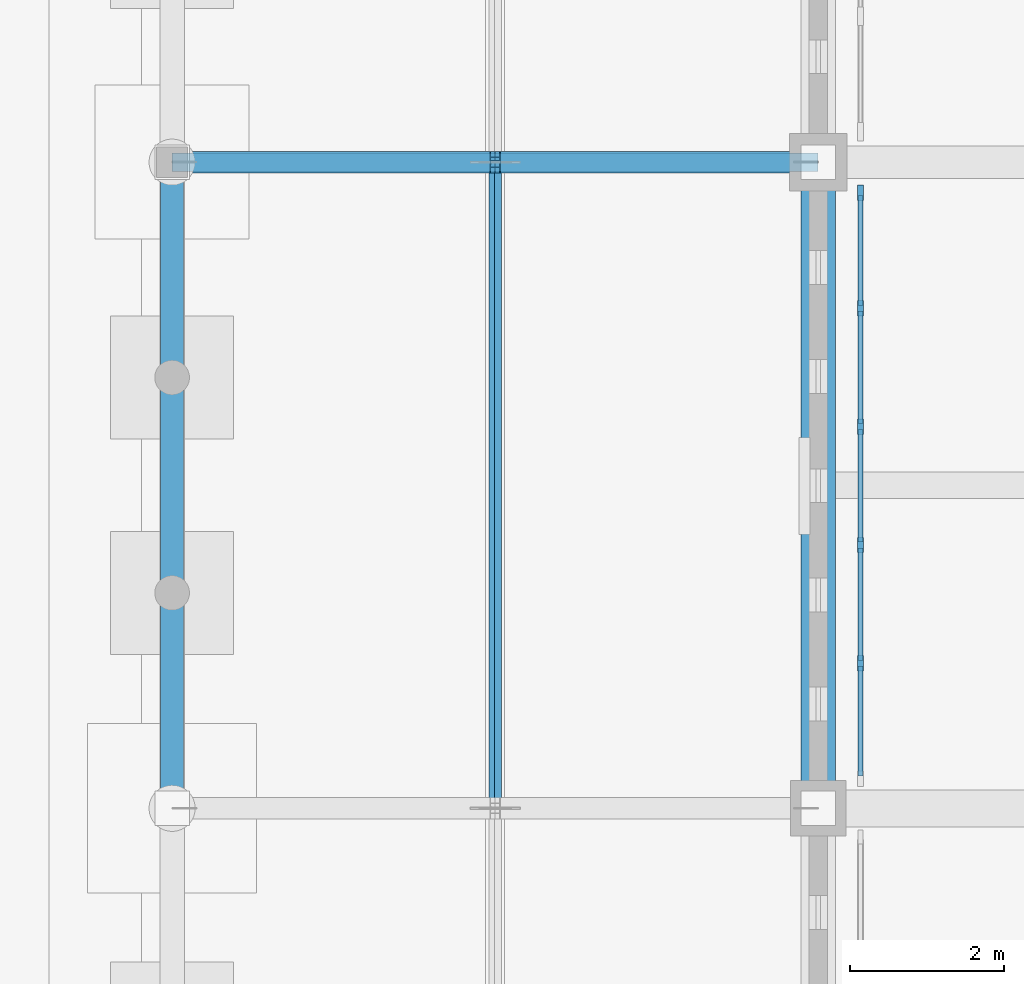
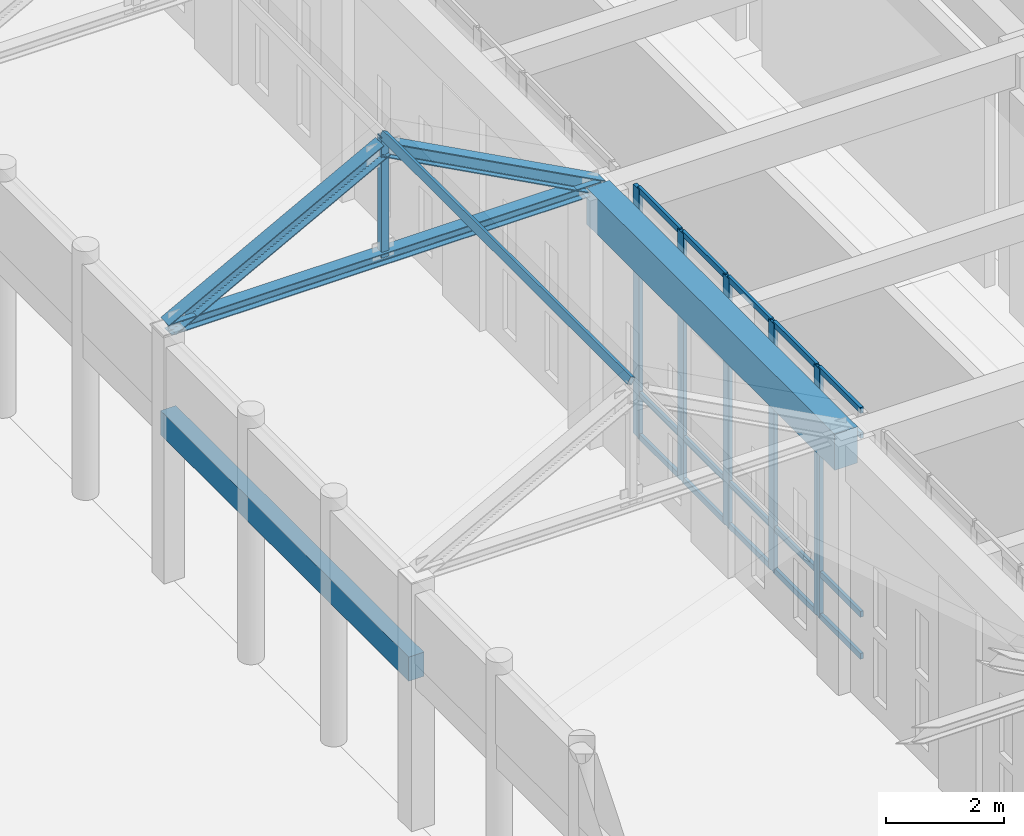
# One storey, part 47 of 143: 30 members, 2 beams, 1 element without a shape of its own.
"""IFC4 building model written with IfcOpenShell, lengths in metres."""

from ifc_helpers import new_model, si_unit, direction, frame, origin, origin_2d, place, context, subcontext, project, spatial, rectangle, hollow_rectangle, i_section, extrude, material, layer, layer_set, material_profile, profile_set, type_object, element, aggregate, save


model = new_model("IFC4")

# Units and contexts
model_context = context("Model", 3, precision=1e-05, world=origin(), true_north=direction((0.0, 1.0)))
body_context = subcontext(model_context, "Body", "Model", "MODEL_VIEW")
ifc_project = project(units=[si_unit("LENGTHUNIT", "METRE"), si_unit("AREAUNIT", "SQUARE_METRE"), si_unit("VOLUMEUNIT", "CUBIC_METRE"), si_unit("PLANEANGLEUNIT", "RADIAN"), si_unit("MASSUNIT", "GRAM", prefix="KILO")], contexts=[model_context])

# Site, building, storey
site_placement = place(None, origin())
site = spatial("IfcSite", under=ifc_project, at=site_placement, CompositionType="ELEMENT")
building_placement = place(site_placement, origin())
building = spatial("IfcBuilding", under=site, at=building_placement, Name="Kveldsbrygga Polytechnic", CompositionType="ELEMENT")
storey_placement = place(building_placement, origin())
storey = spatial("IfcBuildingStorey", under=building, at=storey_placement, Name="L00", CompositionType="ELEMENT", Elevation=0.0)

# Beam
ifc_material_1 = material(Name="Concrete C35/45", Category="concrete")
ifc_material_profile_1 = material_profile(ifc_material_1, rectangle(XDim=0.449951171875, YDim=0.75, at=origin_2d()), Name="RC 450x750")
ifc_profile_set_1 = profile_set([ifc_material_profile_1], Name="Concrete C35/45")
beam_type_1 = type_object("IfcBeamType", Name="BM-RC-450x750", PredefinedType="BEAM", material=ifc_profile_set_1)
beam_1_placement = place(storey_placement, frame((126.0, 50.39990234375, 4.764892578125), z_axis=(0.0, 1.0, 0.0), x_axis=(-1.0, 0.0, 0.0)))
element("IfcBeam", 1, at=beam_1_placement, inside=storey, type_object=beam_type_1, Name="Primary Beam BMY-L00-15-06to07", PredefinedType="BEAM", context=body_context, shape_type="SweptSolid", body=[
    extrude(rectangle(XDim=0.449951171875, YDim=0.75, at=origin_2d()), origin(), (0.0, 0.0, 1.0), 8.400146484375),
])

# Curtain wall, members
ifc_material_2 = material(Name="Anodised aluminium AW-6060", Category="aluminium")
ifc_layer = layer(ifc_material_2, 0.18994140625)
ifc_layer_set = layer_set([ifc_layer], Name="Anodised aluminium AW-6060")
curtain_wall_type = type_object("IfcCurtainWallType", Name="CW-REFC-G", PredefinedType="USERDEFINED", material=ifc_layer_set)
curtain_wall_placement = place(storey_placement, origin())
curtain_wall = element("IfcCurtainWall", 2, at=curtain_wall_placement, inside=storey, type_object=curtain_wall_type, Name="Curtain Wall CW-L00-Y-15-06", ObjectType="UNITISED CURTAIN WALL", PredefinedType="USERDEFINED")
ifc_material_profile_2 = material_profile(ifc_material_2, rectangle(XDim=0.074951171875, YDim=0.199951171875, at=origin_2d()), Name="ALU 75x200")
ifc_profile_set_2 = profile_set([ifc_material_profile_2], Name="Anodised aluminium AW-6060")
member_type_1 = type_object("IfcMemberType", Name="CW-MUL-200", PredefinedType="MULLION", material=ifc_profile_set_2)
member_1_placement = place(storey_placement, frame((126.550048828125, 52.283935546875, 0.0), z_axis=(0.0, 0.0, 1.0), x_axis=(-1.0, 0.0, 0.0)))
member_1 = element("IfcMember", 3, at=member_1_placement, type_object=member_type_1, Name="CW-07 mullion 2", PredefinedType="MULLION", context=body_context, shape_type="SweptSolid", body=[
    extrude(rectangle(XDim=0.074951171875, YDim=0.199951171875, at=origin_2d()), origin(), (0.0, 0.0, 1.0), 5.139892578125),
])
member_2_placement = place(storey_placement, frame((126.550048828125, 53.822998046875, 0.0), z_axis=(0.0, 0.0, 1.0), x_axis=(-1.0, 0.0, 0.0)))
member_2 = element("IfcMember", 4, at=member_2_placement, type_object=member_type_1, Name="CW-07 mullion 3", PredefinedType="MULLION", context=body_context, shape_type="SweptSolid", body=[
    extrude(rectangle(XDim=0.074951171875, YDim=0.199951171875, at=origin_2d()), origin(), (0.0, 0.0, 1.0), 5.139892578125),
])
member_3_placement = place(storey_placement, frame((126.550048828125, 55.362060546875, 0.0), z_axis=(0.0, 0.0, 1.0), x_axis=(-1.0, 0.0, 0.0)))
member_3 = element("IfcMember", 5, at=member_3_placement, type_object=member_type_1, Name="CW-07 mullion 4", PredefinedType="MULLION", context=body_context, shape_type="SweptSolid", body=[
    extrude(rectangle(XDim=0.074951171875, YDim=0.199951171875, at=origin_2d()), origin(), (0.0, 0.0, 1.0), 5.139892578125),
])
member_4_placement = place(storey_placement, frame((126.550048828125, 56.90087890625, 0.0), z_axis=(0.0, 0.0, 1.0), x_axis=(-1.0, 0.0, 0.0)))
member_4 = element("IfcMember", 6, at=member_4_placement, type_object=member_type_1, Name="CW-07 mullion 5", PredefinedType="MULLION", context=body_context, shape_type="SweptSolid", body=[
    extrude(rectangle(XDim=0.074951171875, YDim=0.199951171875, at=origin_2d()), origin(), (0.0, 0.0, 1.0), 5.139892578125),
])
member_5_placement = place(storey_placement, frame((126.550048828125, 58.402587890625, 0.0), z_axis=(0.0, 0.0, 1.0), x_axis=(-1.0, 0.0, 0.0)))
member_5 = element("IfcMember", 7, at=member_5_placement, type_object=member_type_1, Name="CW-07 mullion 6", PredefinedType="MULLION", context=body_context, shape_type="SweptSolid", body=[
    extrude(rectangle(XDim=0.074951171875, YDim=0.199951171875, at=origin_2d()), origin(), (0.0, 0.0, 1.0), 5.139892578125),
])
ifc_material_profile_3 = material_profile(ifc_material_2, rectangle(XDim=0.06005859375, YDim=0.1201171875, at=origin_2d()), Name="ALU 60x120")
ifc_profile_set_3 = profile_set([ifc_material_profile_3], Name="Anodised aluminium AW-6060")
member_type_2 = type_object("IfcMemberType", Name="CW-TRN-120", PredefinedType="USERDEFINED", material=ifc_profile_set_3)
member_6_placement = place(storey_placement, frame((126.550048828125, 50.820068359375, 0.030029296875), z_axis=(0.0, 1.0, 0.0), x_axis=(-1.0, 0.0, 0.0)))
member_6 = element("IfcMember", 8, at=member_6_placement, type_object=member_type_2, Name="CW-07 transom 1.1", ObjectType="TRANSOM", PredefinedType="USERDEFINED", context=body_context, shape_type="SweptSolid", body=[
    extrude(rectangle(XDim=0.06005859375, YDim=0.1201171875, at=origin_2d()), origin(), (0.0, 0.0, 1.0), 1.426513671875),
])
member_7_placement = place(storey_placement, frame((126.550048828125, 50.820068359375, 0.89990234375), z_axis=(0.0, 1.0, 0.0), x_axis=(-1.0, 0.0, 0.0)))
member_7 = element("IfcMember", 9, at=member_7_placement, type_object=member_type_2, Name="CW-07 transom 1.2", ObjectType="TRANSOM", PredefinedType="USERDEFINED", context=body_context, shape_type="SweptSolid", body=[
    extrude(rectangle(XDim=0.06005859375, YDim=0.1201171875, at=origin_2d()), origin(), (0.0, 0.0, 1.0), 1.426513671875),
])
member_8_placement = place(storey_placement, frame((126.550048828125, 50.820068359375, 4.590087890625), z_axis=(0.0, 1.0, 0.0), x_axis=(-1.0, 0.0, 0.0)))
member_8 = element("IfcMember", 10, at=member_8_placement, type_object=member_type_2, Name="CW-07 transom 1.3", ObjectType="TRANSOM", PredefinedType="USERDEFINED", context=body_context, shape_type="SweptSolid", body=[
    extrude(rectangle(XDim=0.06005859375, YDim=0.1201171875, at=origin_2d()), origin(), (0.0, 0.0, 1.0), 1.426513671875),
])
member_9_placement = place(storey_placement, frame((126.550048828125, 50.820068359375, 5.110107421875), z_axis=(0.0, 1.0, 0.0), x_axis=(-1.0, 0.0, 0.0)))
member_9 = element("IfcMember", 11, at=member_9_placement, type_object=member_type_2, Name="CW-07 transom 1.4", ObjectType="TRANSOM", PredefinedType="USERDEFINED", context=body_context, shape_type="SweptSolid", body=[
    extrude(rectangle(XDim=0.06005859375, YDim=0.1201171875, at=origin_2d()), origin(), (0.0, 0.0, 1.0), 1.426513671875),
])
member_10_placement = place(storey_placement, frame((126.550048828125, 52.321533203125, 0.030029296875), z_axis=(0.0, 1.0, 0.0), x_axis=(-1.0, 0.0, 0.0)))
member_10 = element("IfcMember", 12, at=member_10_placement, type_object=member_type_2, Name="CW-07 transom 2.1", ObjectType="TRANSOM", PredefinedType="USERDEFINED", context=body_context, shape_type="SweptSolid", body=[
    extrude(rectangle(XDim=0.06005859375, YDim=0.1201171875, at=origin_2d()), origin(), (0.0, 0.0, 1.0), 1.4638671875),
])
member_11_placement = place(storey_placement, frame((126.550048828125, 52.321533203125, 0.89990234375), z_axis=(0.0, 1.0, 0.0), x_axis=(-1.0, 0.0, 0.0)))
member_11 = element("IfcMember", 13, at=member_11_placement, type_object=member_type_2, Name="CW-07 transom 2.2", ObjectType="TRANSOM", PredefinedType="USERDEFINED", context=body_context, shape_type="SweptSolid", body=[
    extrude(rectangle(XDim=0.06005859375, YDim=0.1201171875, at=origin_2d()), origin(), (0.0, 0.0, 1.0), 1.4638671875),
])
member_12_placement = place(storey_placement, frame((126.550048828125, 52.321533203125, 4.590087890625), z_axis=(0.0, 1.0, 0.0), x_axis=(-1.0, 0.0, 0.0)))
member_12 = element("IfcMember", 14, at=member_12_placement, type_object=member_type_2, Name="CW-07 transom 2.3", ObjectType="TRANSOM", PredefinedType="USERDEFINED", context=body_context, shape_type="SweptSolid", body=[
    extrude(rectangle(XDim=0.06005859375, YDim=0.1201171875, at=origin_2d()), origin(), (0.0, 0.0, 1.0), 1.4638671875),
])
member_13_placement = place(storey_placement, frame((126.550048828125, 52.321533203125, 5.110107421875), z_axis=(0.0, 1.0, 0.0), x_axis=(-1.0, 0.0, 0.0)))
member_13 = element("IfcMember", 15, at=member_13_placement, type_object=member_type_2, Name="CW-07 transom 2.4", ObjectType="TRANSOM", PredefinedType="USERDEFINED", context=body_context, shape_type="SweptSolid", body=[
    extrude(rectangle(XDim=0.06005859375, YDim=0.1201171875, at=origin_2d()), origin(), (0.0, 0.0, 1.0), 1.4638671875),
])
member_14_placement = place(storey_placement, frame((126.550048828125, 53.860595703125, 0.030029296875), z_axis=(0.0, 1.0, 0.0), x_axis=(-1.0, 0.0, 0.0)))
member_14 = element("IfcMember", 16, at=member_14_placement, type_object=member_type_2, Name="CW-07 transom 3.1", ObjectType="TRANSOM", PredefinedType="USERDEFINED", context=body_context, shape_type="SweptSolid", body=[
    extrude(rectangle(XDim=0.06005859375, YDim=0.1201171875, at=origin_2d()), origin(), (0.0, 0.0, 1.0), 1.4638671875),
])
member_15_placement = place(storey_placement, frame((126.550048828125, 53.860595703125, 0.89990234375), z_axis=(0.0, 1.0, 0.0), x_axis=(-1.0, 0.0, 0.0)))
member_15 = element("IfcMember", 17, at=member_15_placement, type_object=member_type_2, Name="CW-07 transom 3.2", ObjectType="TRANSOM", PredefinedType="USERDEFINED", context=body_context, shape_type="SweptSolid", body=[
    extrude(rectangle(XDim=0.06005859375, YDim=0.1201171875, at=origin_2d()), origin(), (0.0, 0.0, 1.0), 1.4638671875),
])
member_16_placement = place(storey_placement, frame((126.550048828125, 53.860595703125, 4.590087890625), z_axis=(0.0, 1.0, 0.0), x_axis=(-1.0, 0.0, 0.0)))
member_16 = element("IfcMember", 18, at=member_16_placement, type_object=member_type_2, Name="CW-07 transom 3.3", ObjectType="TRANSOM", PredefinedType="USERDEFINED", context=body_context, shape_type="SweptSolid", body=[
    extrude(rectangle(XDim=0.06005859375, YDim=0.1201171875, at=origin_2d()), origin(), (0.0, 0.0, 1.0), 1.4638671875),
])
member_17_placement = place(storey_placement, frame((126.550048828125, 53.860595703125, 5.110107421875), z_axis=(0.0, 1.0, 0.0), x_axis=(-1.0, 0.0, 0.0)))
member_17 = element("IfcMember", 19, at=member_17_placement, type_object=member_type_2, Name="CW-07 transom 3.4", ObjectType="TRANSOM", PredefinedType="USERDEFINED", context=body_context, shape_type="SweptSolid", body=[
    extrude(rectangle(XDim=0.06005859375, YDim=0.1201171875, at=origin_2d()), origin(), (0.0, 0.0, 1.0), 1.4638671875),
])
member_18_placement = place(storey_placement, frame((126.550048828125, 55.3994140625, 0.030029296875), z_axis=(0.0, 1.0, 0.0), x_axis=(-1.0, 0.0, 0.0)))
member_18 = element("IfcMember", 20, at=member_18_placement, type_object=member_type_2, Name="CW-07 transom 4.1", ObjectType="TRANSOM", PredefinedType="USERDEFINED", context=body_context, shape_type="SweptSolid", body=[
    extrude(rectangle(XDim=0.06005859375, YDim=0.1201171875, at=origin_2d()), origin(), (0.0, 0.0, 1.0), 1.464111328125),
])
member_19_placement = place(storey_placement, frame((126.550048828125, 55.3994140625, 0.89990234375), z_axis=(0.0, 1.0, 0.0), x_axis=(-1.0, 0.0, 0.0)))
member_19 = element("IfcMember", 21, at=member_19_placement, type_object=member_type_2, Name="CW-07 transom 4.2", ObjectType="TRANSOM", PredefinedType="USERDEFINED", context=body_context, shape_type="SweptSolid", body=[
    extrude(rectangle(XDim=0.06005859375, YDim=0.1201171875, at=origin_2d()), origin(), (0.0, 0.0, 1.0), 1.464111328125),
])
member_20_placement = place(storey_placement, frame((126.550048828125, 55.3994140625, 4.590087890625), z_axis=(0.0, 1.0, 0.0), x_axis=(-1.0, 0.0, 0.0)))
member_20 = element("IfcMember", 22, at=member_20_placement, type_object=member_type_2, Name="CW-07 transom 4.3", ObjectType="TRANSOM", PredefinedType="USERDEFINED", context=body_context, shape_type="SweptSolid", body=[
    extrude(rectangle(XDim=0.06005859375, YDim=0.1201171875, at=origin_2d()), origin(), (0.0, 0.0, 1.0), 1.464111328125),
])
member_21_placement = place(storey_placement, frame((126.550048828125, 55.3994140625, 5.110107421875), z_axis=(0.0, 1.0, 0.0), x_axis=(-1.0, 0.0, 0.0)))
member_21 = element("IfcMember", 23, at=member_21_placement, type_object=member_type_2, Name="CW-07 transom 4.4", ObjectType="TRANSOM", PredefinedType="USERDEFINED", context=body_context, shape_type="SweptSolid", body=[
    extrude(rectangle(XDim=0.06005859375, YDim=0.1201171875, at=origin_2d()), origin(), (0.0, 0.0, 1.0), 1.464111328125),
])
member_22_placement = place(storey_placement, frame((126.550048828125, 56.9384765625, 0.030029296875), z_axis=(0.0, 1.0, 0.0), x_axis=(-1.0, 0.0, 0.0)))
member_22 = element("IfcMember", 24, at=member_22_placement, type_object=member_type_2, Name="CW-07 transom 5.1", ObjectType="TRANSOM", PredefinedType="USERDEFINED", context=body_context, shape_type="SweptSolid", body=[
    extrude(rectangle(XDim=0.06005859375, YDim=0.1201171875, at=origin_2d()), origin(), (0.0, 0.0, 1.0), 1.426513671875),
])
member_23_placement = place(storey_placement, frame((126.550048828125, 56.9384765625, 0.89990234375), z_axis=(0.0, 1.0, 0.0), x_axis=(-1.0, 0.0, 0.0)))
member_23 = element("IfcMember", 25, at=member_23_placement, type_object=member_type_2, Name="CW-07 transom 5.2", ObjectType="TRANSOM", PredefinedType="USERDEFINED", context=body_context, shape_type="SweptSolid", body=[
    extrude(rectangle(XDim=0.06005859375, YDim=0.1201171875, at=origin_2d()), origin(), (0.0, 0.0, 1.0), 1.426513671875),
])
member_24_placement = place(storey_placement, frame((126.550048828125, 56.9384765625, 4.590087890625), z_axis=(0.0, 1.0, 0.0), x_axis=(-1.0, 0.0, 0.0)))
member_24 = element("IfcMember", 26, at=member_24_placement, type_object=member_type_2, Name="CW-07 transom 5.3", ObjectType="TRANSOM", PredefinedType="USERDEFINED", context=body_context, shape_type="SweptSolid", body=[
    extrude(rectangle(XDim=0.06005859375, YDim=0.1201171875, at=origin_2d()), origin(), (0.0, 0.0, 1.0), 1.426513671875),
])
member_25_placement = place(storey_placement, frame((126.550048828125, 56.9384765625, 5.110107421875), z_axis=(0.0, 1.0, 0.0), x_axis=(-1.0, 0.0, 0.0)))
member_25 = element("IfcMember", 27, at=member_25_placement, type_object=member_type_2, Name="CW-07 transom 5.4", ObjectType="TRANSOM", PredefinedType="USERDEFINED", context=body_context, shape_type="SweptSolid", body=[
    extrude(rectangle(XDim=0.06005859375, YDim=0.1201171875, at=origin_2d()), origin(), (0.0, 0.0, 1.0), 1.426513671875),
])
aggregate(curtain_wall, [member_1, member_2, member_3, member_4, member_5, member_6, member_7, member_8, member_9, member_10, member_11, member_12, member_13, member_14, member_15, member_16, member_17, member_18, member_19, member_20, member_21, member_22, member_23, member_24, member_25])

# Beam
ifc_material_profile_4 = material_profile(ifc_material_1, rectangle(XDim=0.300048828125, YDim=0.5, at=origin_2d()), Name="RC 300x500")
ifc_profile_set_4 = profile_set([ifc_material_profile_4], Name="Concrete C35/45")
beam_type_2 = type_object("IfcBeamType", Name="LNT-RC-300x500", PredefinedType="LINTEL", material=ifc_profile_set_4)
beam_2_placement = place(storey_placement, frame((117.60009765625, 50.39990234375, 3.199951171875), z_axis=(0.0, 1.0, 0.0), x_axis=(-1.0, 0.0, 0.0)))
element("IfcBeam", 28, at=beam_2_placement, inside=storey, type_object=beam_type_2, Name="Cloister Arcade Arch Lintel Beam BM-ARC-HDR-23", PredefinedType="LINTEL", context=body_context, shape_type="SweptSolid", body=[
    extrude(rectangle(XDim=0.300048828125, YDim=0.5, at=origin_2d()), origin(), (0.0, 0.0, 1.0), 8.400146484375),
])

# Members
ifc_material_3 = material(Name="Steel S355", Category="steel")
ifc_material_profile_5 = material_profile(ifc_material_3, hollow_rectangle(XDim=0.10009765625, YDim=0.14990234375, WallThickness=0.008056640625, at=origin_2d()), Name="RHS 150x100x8.0")
ifc_profile_set_5 = profile_set([ifc_material_profile_5], Name="Steel S355")
member_type_3 = type_object("IfcMemberType", Name="PRL-RHS150", PredefinedType="PURLIN", material=ifc_profile_set_5)
member_26_placement = place(storey_placement, frame((121.800048828125, 50.39990234375, 7.6337890625), z_axis=(0.0, 1.0, 0.0), x_axis=(-0.881479888517, 0.0, 0.472221564671)))
element("IfcMember", 29, at=member_26_placement, inside=storey, type_object=member_type_3, Name="Roof Purlin ARC-EE-PRL-3-1", PredefinedType="PURLIN", context=body_context, shape_type="SweptSolid", body=[
    extrude(hollow_rectangle(XDim=0.10009765625, YDim=0.14990234375, WallThickness=0.008056640625, at=origin_2d()), origin(), (0.0, 0.0, 1.0), 8.400146484375),
])
ifc_material_profile_6 = material_profile(ifc_material_3, i_section(OverallWidth=0.239990234375, OverallDepth=0.239990234375, WebThickness=0.010009765625, FlangeThickness=0.01708984375, FilletRadius=0.02099609375, at=origin_2d()), Name="HEB 240")
ifc_profile_set_6 = profile_set([ifc_material_profile_6], Name="Steel S355")
member_type_4 = type_object("IfcMemberType", Name="TR-BOT-HEB240", PredefinedType="CHORD", material=ifc_profile_set_6)
member_27_placement = place(storey_placement, frame((117.60009765625, 58.800048828125, 5.139892578125), z_axis=(1.0, 0.0, 0.0), x_axis=(0.0, 1.0, 0.0)))
element("IfcMember", 30, at=member_27_placement, inside=storey, type_object=member_type_4, Name="Truss Bottom Chord ARC-EE-T04-BC-1", PredefinedType="CHORD", context=body_context, shape_type="SweptSolid", body=[
    extrude(i_section(OverallWidth=0.239990234375, OverallDepth=0.239990234375, WebThickness=0.010009765625, FlangeThickness=0.01708984375, FilletRadius=0.02099609375, at=origin_2d()), origin(), (0.0, 0.0, 1.0), 8.39990234375),
])
ifc_material_profile_7 = material_profile(ifc_material_3, hollow_rectangle(XDim=0.139892578125, YDim=0.139892578125, WallThickness=0.008056640625, at=origin_2d()), Name="SHS 140x140x8.0")
ifc_profile_set_7 = profile_set([ifc_material_profile_7], Name="Steel S355")
member_type_5 = type_object("IfcMemberType", Name="TR-POST-SHS140", PredefinedType="STRUT", material=ifc_profile_set_7)
member_28_placement = place(storey_placement, frame((121.800048828125, 58.800048828125, 5.139892578125), z_axis=(0.0, 0.0, 1.0), x_axis=(1.0, 0.0, 0.0)))
element("IfcMember", 31, at=member_28_placement, inside=storey, type_object=member_type_5, Name="Truss Vertical ARC-EE-T04-VT-1", PredefinedType="STRUT", context=body_context, shape_type="SweptSolid", body=[
    extrude(hollow_rectangle(XDim=0.139892578125, YDim=0.139892578125, WallThickness=0.008056640625, at=origin_2d()), origin(), (0.0, 0.0, 1.0), 2.493896484375),
])
ifc_material_profile_8 = material_profile(ifc_material_3, i_section(OverallWidth=0.280029296875, OverallDepth=0.280029296875, WebThickness=0.010498046875, FlangeThickness=0.01806640625, FilletRadius=0.02392578125, at=origin_2d()), Name="HEB 280")
ifc_profile_set_8 = profile_set([ifc_material_profile_8], Name="Steel S355")
member_type_6 = type_object("IfcMemberType", Name="TR-TOP-HEB280", PredefinedType="CHORD", material=ifc_profile_set_8)
for number, where, z_axis, x_axis, name in (
    (32, (117.60009765625, 58.800048828125, 5.139892578125), (0.881477684796, 0.0, 0.472225678258), (0.0, 1.0, 0.0), "Truss Top Chord ARC-EE-T04-TC-1"),
    (33, (121.800048828125, 58.800048828125, 7.389892578125), (0.881477684796, 0.0, -0.472225678258), (0.0, 1.0, 0.0), "Truss Top Chord ARC-EE-T04-TC-2"),
):
    element("IfcMember", number, at=place(storey_placement, frame(where, z_axis=z_axis, x_axis=x_axis)), inside=storey, type_object=member_type_6, Name=name, PredefinedType="CHORD", context=body_context, shape_type="SweptSolid", body=[
        extrude(i_section(OverallWidth=0.280029296875, OverallDepth=0.280029296875, WebThickness=0.010498046875, FlangeThickness=0.01806640625, FilletRadius=0.02392578125, at=origin_2d()), origin(), (0.0, 0.0, 1.0), 4.7646484375),
    ])

save(model, "model.ifc")
